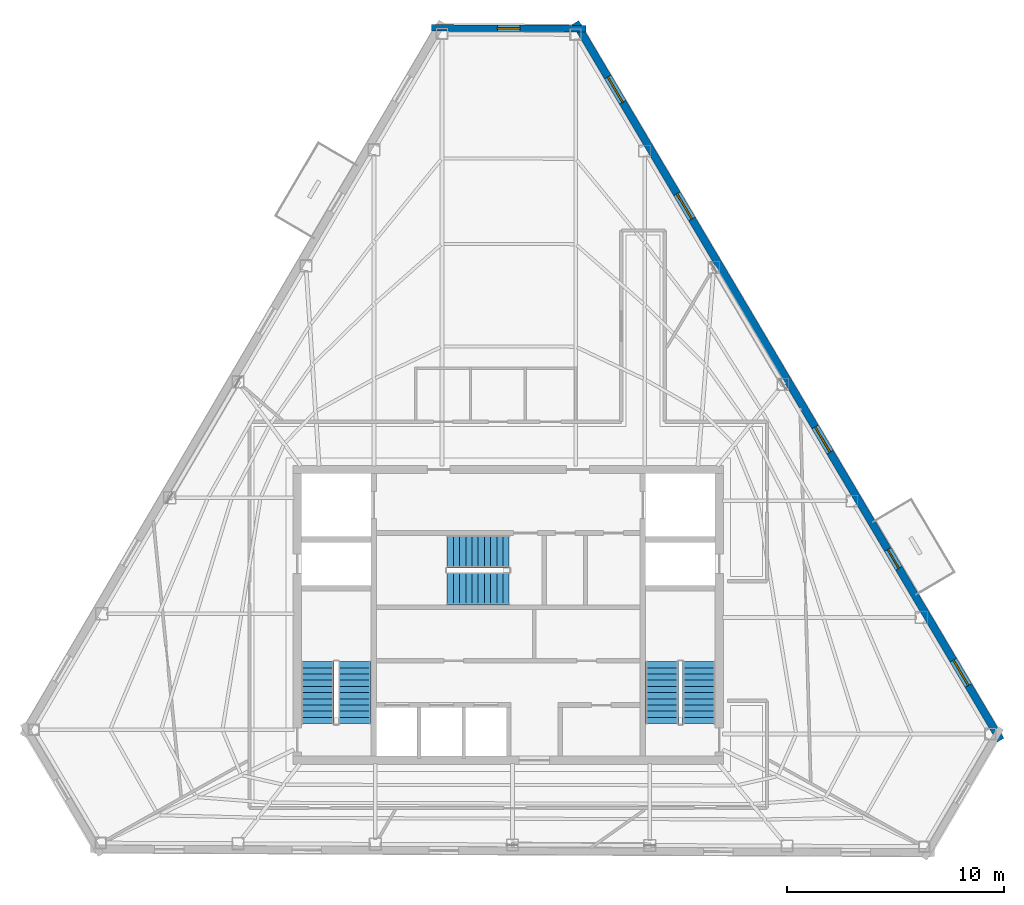
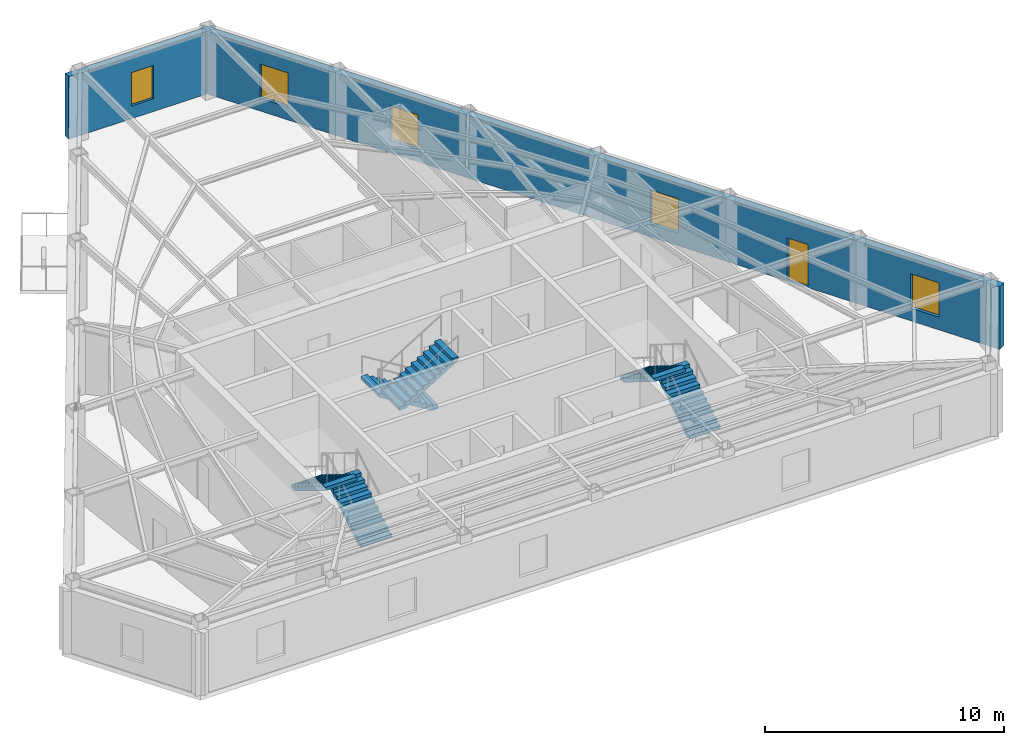
# One storey, part 7 of 9: 6 stair flights, 5 windows, 2 walls, 1 door, 6 openings, 3 elements without a shape of their own.
"""IFC4 building model written with IfcOpenShell, lengths in metres."""

from ifc_helpers import new_model, si_unit, direction, frame, frame_2d, origin, place, context, subcontext, project, spatial, polyline, rectangle, outline, extrude, material, layer, layer_set, type_object, element, fill, aggregate, save


model = new_model("IFC4")

# Units and contexts
model_context = context("Model", 3, precision=1e-05, world=origin(), true_north=direction((0.0, 1.0)))
body_context = subcontext(model_context, "Body", "Model", "MODEL_VIEW")
ifc_project = project(units=[si_unit("LENGTHUNIT", "METRE"), si_unit("AREAUNIT", "SQUARE_METRE"), si_unit("VOLUMEUNIT", "CUBIC_METRE"), si_unit("PLANEANGLEUNIT", "RADIAN"), si_unit("MASSUNIT", "GRAM", prefix="KILO")], contexts=[model_context])

# Site, building, storey
site_placement = place(None, origin())
site = spatial("IfcSite", under=ifc_project, at=site_placement, CompositionType="ELEMENT")
building_placement = place(site_placement, origin())
building = spatial("IfcBuilding", under=site, at=building_placement, Name="Kavelnor Concourse Tower", CompositionType="ELEMENT")
storey_placement = place(building_placement, frame((0.0, 0.0, 270.300048828125)))
storey = spatial("IfcBuildingStorey", under=building, at=storey_placement, Name="L68", CompositionType="ELEMENT", Elevation=270.300048828125)

# Wall, opening, window
ifc_material_1 = material(Name="Buff ironspot clay face brick masonry", Category="masonry")
ifc_layer_1 = layer(ifc_material_1, 0.300048828125, Name="Buff ironspot clay face brick masonry")
ifc_layer_set_1 = layer_set([ifc_layer_1], Name="Buff ironspot clay face brick masonry")
wall_type_1 = type_object("IfcWallType", Name="WL-EXT-BUFF-BRICK-FOLD-300", PredefinedType="STANDARD", material=ifc_layer_set_1)
wall_1_placement = place(storey_placement, frame((34.476806640625, 43.1064453125, 0.0), z_axis=(0.0, 0.0, 1.0), x_axis=(0.999990601599, -0.004335517714, 0.0)))
wall_1 = element("IfcWall", 1, at=wall_1_placement, inside=storey, type_object=wall_type_1, Name="L68 Exterior Brick Facade Wall E0", PredefinedType="STANDARD", context=body_context, shape_type="SweptSolid", body=[
    extrude(rectangle(XDim=7.09521484375, YDim=0.300048828125, at=frame_2d((3.547607421875, 0.0))), origin(), (0.0, 0.0, 1.0), 3.196044921875),
])
opening_1_placement = place(wall_1_placement, frame((3.022705078125, 0.0, 0.64990234375)))
opening_1 = element("IfcOpeningElement", 2, at=opening_1_placement, cuts=wall_1, Name="Opening W-06", PredefinedType="OPENING", context=body_context, shape_type="SweptSolid", body=[
    extrude(rectangle(XDim=1.050048828125, YDim=1.699951171875, at=frame_2d((0.52490234375, 0.85009765625))), frame((0.0, 0.16015625, 0.0), z_axis=(0.0, -1.0, 0.0), x_axis=(1.0, 0.0, 0.0)), (0.0, 0.0, 1.0), 0.320068359375),
])
ifc_material_2 = material(Name="Double low-E argon insulated glazing", Category="glass")
window_type_1 = type_object("IfcWindowType", Name="WIN-FOLD-1050", PartitioningType="SINGLE_PANEL", PredefinedType="WINDOW", material=ifc_material_2)
window_1_placement = place(opening_1_placement, origin())
window_1 = element("IfcWindow", 3, at=window_1_placement, inside=storey, type_object=window_type_1, Name="L68 Chamfer-Fold Facet Window C0", OverallHeight=1.699951171875, OverallWidth=1.050048828125, PartitioningType="SINGLE_PANEL", PredefinedType="WINDOW", context=body_context, shape_type="SweptSolid", body=[
    extrude(rectangle(XDim=1.050048828125, YDim=1.699951171875, at=frame_2d((0.52490234375, 0.85009765625))), frame((0.0, 0.030029296875, 0.0), z_axis=(0.0, -1.0, 0.0), x_axis=(1.0, 0.0, 0.0)), (0.0, 0.0, 1.0), 0.06005859375),
])
fill(opening_1, window_1)

# Wall, openings, door, windows
ifc_material_3 = material(Name="Red-ochre clay face brick masonry", Category="masonry")
ifc_layer_2 = layer(ifc_material_3, 0.35009765625, Name="Red-ochre clay face brick masonry")
ifc_layer_set_2 = layer_set([ifc_layer_2], Name="Red-ochre clay face brick masonry")
wall_type_2 = type_object("IfcWallType", Name="WL-EXT-RED-BRICK-PIER-350", PredefinedType="STANDARD", material=ifc_layer_set_2)
wall_2_placement = place(storey_placement, frame((41.090087890625, 43.3515625, 0.0), z_axis=(0.0, 0.0, 1.0), x_axis=(0.509850521087, -0.860263009868, 0.0)))
wall_2 = element("IfcWall", 4, at=wall_2_placement, inside=storey, type_object=wall_type_2, Name="L68 Exterior Brick Facade Wall E5", PredefinedType="STANDARD", context=body_context, shape_type="SweptSolid", body=[
    extrude(rectangle(XDim=38.374755859375, YDim=0.35009765625, at=frame_2d((19.1875, 0.0))), origin(), (0.0, 0.0, 1.0), 3.196044921875),
])
opening_2_placement = place(wall_2_placement, frame((28.18115234375, 0.0, 0.0)))
opening_2 = element("IfcOpeningElement", 5, at=opening_2_placement, cuts=wall_2, Name="Opening BD-100", PredefinedType="OPENING", context=body_context, shape_type="SweptSolid", body=[
    extrude(rectangle(XDim=1.0, YDim=2.199951171875, at=frame_2d((0.5, 1.10009765625))), frame((0.0, 0.18505859375, 0.0), z_axis=(0.0, -1.0, 0.0), x_axis=(1.0, 0.0, 0.0)), (0.0, 0.0, 1.0), 0.3701171875),
])
opening_3_placement = place(wall_2_placement, frame((34.098388671875, 0.0, 0.64990234375)))
opening_3 = element("IfcOpeningElement", 6, at=opening_3_placement, cuts=wall_2, Name="Opening W-04", PredefinedType="OPENING", context=body_context, shape_type="SweptSolid", body=[
    extrude(rectangle(XDim=1.35009765625, YDim=1.75, at=frame_2d((0.675048828125, 0.875))), frame((0.0, 0.18505859375, 0.0), z_axis=(0.0, -1.0, 0.0), x_axis=(1.0, 0.0, 0.0)), (0.0, 0.0, 1.0), 0.3701171875),
])
opening_4_placement = place(wall_2_placement, frame((21.625244140625, 0.0, 0.64990234375)))
opening_4 = element("IfcOpeningElement", 7, at=opening_4_placement, cuts=wall_2, Name="Opening W-04", PredefinedType="OPENING", context=body_context, shape_type="SweptSolid", body=[
    extrude(rectangle(XDim=1.35009765625, YDim=1.75, at=frame_2d((0.675048828125, 0.875))), frame((0.0, 0.18505859375, 0.0), z_axis=(0.0, -1.0, 0.0), x_axis=(1.0, 0.0, 0.0)), (0.0, 0.0, 1.0), 0.3701171875),
])
opening_5_placement = place(wall_2_placement, frame((9.152099609375, 0.0, 0.64990234375)))
opening_5 = element("IfcOpeningElement", 8, at=opening_5_placement, cuts=wall_2, Name="Opening W-04", PredefinedType="OPENING", context=body_context, shape_type="SweptSolid", body=[
    extrude(rectangle(XDim=1.35009765625, YDim=1.75, at=frame_2d((0.675048828125, 0.875))), frame((0.0, 0.18505859375, 0.0), z_axis=(0.0, -1.0, 0.0), x_axis=(1.0, 0.0, 0.0)), (0.0, 0.0, 1.0), 0.3701171875),
])
opening_6_placement = place(wall_2_placement, frame((2.915283203125, 0.0, 0.64990234375)))
opening_6 = element("IfcOpeningElement", 9, at=opening_6_placement, cuts=wall_2, Name="Opening W-04", PredefinedType="OPENING", context=body_context, shape_type="SweptSolid", body=[
    extrude(rectangle(XDim=1.35009765625, YDim=1.75, at=frame_2d((0.675048828125, 0.875))), frame((0.0, 0.18505859375, 0.0), z_axis=(0.0, -1.0, 0.0), x_axis=(1.0, 0.0, 0.0)), (0.0, 0.0, 1.0), 0.3701171875),
])
ifc_material_4 = material(Name="Anodised aluminium 6063-T6", Category="aluminium")
door_type = type_object("IfcDoorType", Name="DR-BALCONY-EXT-1000", OperationType="NOTDEFINED", PredefinedType="DOOR", material=ifc_material_4)
door_placement = place(opening_2_placement, origin())
door = element("IfcDoor", 10, at=door_placement, inside=storey, type_object=door_type, Name="L68 Tree Balcony 1 Glazed Door", OperationType="SINGLE_SWING_LEFT", OverallHeight=2.199951171875, OverallWidth=1.0, PredefinedType="DOOR", context=body_context, shape_type="SweptSolid", body=[
    extrude(rectangle(XDim=1.0, YDim=2.199951171875, at=frame_2d((0.5, 1.10009765625))), frame((0.0, 0.02490234375, 0.0), z_axis=(0.0, -1.0, 0.0), x_axis=(1.0, 0.0, 0.0)), (0.0, 0.0, 1.0), 0.050048828125),
])
fill(opening_2, door)
window_type_2 = type_object("IfcWindowType", Name="WIN-PIER-Z4-1350", PartitioningType="SINGLE_PANEL", PredefinedType="WINDOW", material=ifc_material_2)
window_2_placement = place(opening_3_placement, origin())
window_2 = element("IfcWindow", 11, at=window_2_placement, inside=storey, type_object=window_type_2, Name="L68 Deep-Set Brick Pier Window F2-B0", OverallHeight=1.75, OverallWidth=1.35009765625, PartitioningType="SINGLE_PANEL", PredefinedType="WINDOW", context=body_context, shape_type="SweptSolid", body=[
    extrude(rectangle(XDim=1.35009765625, YDim=1.75, at=frame_2d((0.675048828125, 0.875))), frame((0.0, 0.030029296875, 0.0), z_axis=(0.0, -1.0, 0.0), x_axis=(1.0, 0.0, 0.0)), (0.0, 0.0, 1.0), 0.06005859375),
])
fill(opening_3, window_2)
window_3_placement = place(opening_4_placement, origin())
window_3 = element("IfcWindow", 12, at=window_3_placement, inside=storey, type_object=window_type_2, Name="L68 Deep-Set Brick Pier Window F2-B2", OverallHeight=1.75, OverallWidth=1.35009765625, PartitioningType="SINGLE_PANEL", PredefinedType="WINDOW", context=body_context, shape_type="SweptSolid", body=[
    extrude(rectangle(XDim=1.35009765625, YDim=1.75, at=frame_2d((0.675048828125, 0.875))), frame((0.0, 0.030029296875, 0.0), z_axis=(0.0, -1.0, 0.0), x_axis=(1.0, 0.0, 0.0)), (0.0, 0.0, 1.0), 0.06005859375),
])
fill(opening_4, window_3)
window_4_placement = place(opening_5_placement, origin())
window_4 = element("IfcWindow", 13, at=window_4_placement, inside=storey, type_object=window_type_2, Name="L68 Deep-Set Brick Pier Window F2-B4", OverallHeight=1.75, OverallWidth=1.35009765625, PartitioningType="SINGLE_PANEL", PredefinedType="WINDOW", context=body_context, shape_type="SweptSolid", body=[
    extrude(rectangle(XDim=1.35009765625, YDim=1.75, at=frame_2d((0.675048828125, 0.875))), frame((0.0, 0.030029296875, 0.0), z_axis=(0.0, -1.0, 0.0), x_axis=(1.0, 0.0, 0.0)), (0.0, 0.0, 1.0), 0.06005859375),
])
fill(opening_5, window_4)
window_5_placement = place(opening_6_placement, origin())
window_5 = element("IfcWindow", 14, at=window_5_placement, inside=storey, type_object=window_type_2, Name="L68 Deep-Set Brick Pier Window F2-B5", OverallHeight=1.75, OverallWidth=1.35009765625, PartitioningType="SINGLE_PANEL", PredefinedType="WINDOW", context=body_context, shape_type="SweptSolid", body=[
    extrude(rectangle(XDim=1.35009765625, YDim=1.75, at=frame_2d((0.675048828125, 0.875))), frame((0.0, 0.030029296875, 0.0), z_axis=(0.0, -1.0, 0.0), x_axis=(1.0, 0.0, 0.0)), (0.0, 0.0, 1.0), 0.06005859375),
])
fill(opening_6, window_5)

# Stair, stair flights
ifc_material_5 = material(Name="Concrete C40/50", Category="concrete")
stair_type = type_object("IfcStairType", Name="STR-CORE-1500", PredefinedType="HALF_TURN_STAIR", material=ifc_material_5)
stair_1_placement = place(storey_placement, origin())
stair_1 = element("IfcStair", 15, at=stair_1_placement, inside=storey, type_object=stair_type, Name="L68 ST1", PredefinedType="HALF_TURN_STAIR")
stair_flight_type = type_object("IfcStairFlightType", Name="STR-FLIGHT-1500", PredefinedType="STRAIGHT", material=ifc_material_5)
stair_flight_1_placement = place(storey_placement, frame((30.929931640625, 11.10009765625, 0.0), z_axis=(0.0, 0.0, 1.0), x_axis=(0.0, 1.0, 0.0)))
stair_flight_1 = element("IfcStairFlight", 16, at=stair_flight_1_placement, type_object=stair_flight_type, Name="ST1 flight 1", NumberOfRisers=11, NumberOfTreads=10, PredefinedType="STRAIGHT", RiserHeight=0.175, TreadLength=0.285, context=body_context, shape_type="SweptSolid", body=[
    extrude(outline(polyline([(0.0, 0.0), (0.0, 0.175048828125), (0.284912109375, 0.175048828125), (0.284912109375, 0.35009765625), (0.570068359375, 0.35009765625), (0.570068359375, 0.52490234375), (0.85498046875, 0.52490234375), (0.85498046875, 0.699951171875), (1.139892578125, 0.699951171875), (1.139892578125, 0.875), (1.425048828125, 0.875), (1.425048828125, 1.050048828125), (1.7099609375, 1.050048828125), (1.7099609375, 1.22509765625), (1.9951171875, 1.22509765625), (1.9951171875, 1.39990234375), (2.280029296875, 1.39990234375), (2.280029296875, 1.574951171875), (2.56494140625, 1.574951171875), (2.56494140625, 1.75), (2.85009765625, 1.75), (2.85009765625, 1.925048828125), (2.85009765625, 1.573974609375), (0.286376953125, 0.0), (0.0, 0.0)])), frame((0.0, 0.75, 0.0), z_axis=(0.0, -1.0, 0.0), x_axis=(1.0, 0.0, 0.0)), (0.0, 0.0, 1.0), 1.5),
])
stair_flight_2_placement = place(storey_placement, frame((29.22998046875, 13.949951171875, 1.925048828125), z_axis=(0.0, 0.0, 1.0), x_axis=(0.0, -1.0, 0.0)))
stair_flight_2 = element("IfcStairFlight", 17, at=stair_flight_2_placement, type_object=stair_flight_type, Name="ST1 flight 2", NumberOfRisers=11, NumberOfTreads=10, PredefinedType="STRAIGHT", RiserHeight=0.175, TreadLength=0.285, context=body_context, shape_type="SweptSolid", body=[
    extrude(outline(polyline([(0.0, 0.0), (0.0, 0.175048828125), (0.284912109375, 0.175048828125), (0.284912109375, 0.35009765625), (0.570068359375, 0.35009765625), (0.570068359375, 0.52490234375), (0.85498046875, 0.52490234375), (0.85498046875, 0.699951171875), (1.139892578125, 0.699951171875), (1.139892578125, 0.875), (1.425048828125, 0.875), (1.425048828125, 1.050048828125), (1.7099609375, 1.050048828125), (1.7099609375, 1.22509765625), (1.9951171875, 1.22509765625), (1.9951171875, 1.39990234375), (2.280029296875, 1.39990234375), (2.280029296875, 1.574951171875), (2.56494140625, 1.574951171875), (2.56494140625, 1.75), (2.85009765625, 1.75), (2.85009765625, 1.925048828125), (2.85009765625, 1.573974609375), (0.286376953125, 0.0), (0.0, 0.0)])), frame((0.0, 0.75, 0.0), z_axis=(0.0, -1.0, 0.0), x_axis=(1.0, 0.0, 0.0)), (0.0, 0.0, 1.0), 1.5),
])
aggregate(stair_1, [stair_flight_1, stair_flight_2])

stair_2_placement = place(storey_placement, origin())
stair_2 = element("IfcStair", 18, at=stair_2_placement, inside=storey, type_object=stair_type, Name="L68 ST2", PredefinedType="HALF_TURN_STAIR")
stair_flight_3_placement = place(storey_placement, frame((46.77001953125, 11.10009765625, 0.0), z_axis=(0.0, 0.0, 1.0), x_axis=(0.0, 1.0, 0.0)))
stair_flight_3 = element("IfcStairFlight", 19, at=stair_flight_3_placement, type_object=stair_flight_type, Name="ST2 flight 1", NumberOfRisers=11, NumberOfTreads=10, PredefinedType="STRAIGHT", RiserHeight=0.175, TreadLength=0.285, context=body_context, shape_type="SweptSolid", body=[
    extrude(outline(polyline([(0.0, 0.0), (0.0, 0.175048828125), (0.284912109375, 0.175048828125), (0.284912109375, 0.35009765625), (0.570068359375, 0.35009765625), (0.570068359375, 0.52490234375), (0.85498046875, 0.52490234375), (0.85498046875, 0.699951171875), (1.139892578125, 0.699951171875), (1.139892578125, 0.875), (1.425048828125, 0.875), (1.425048828125, 1.050048828125), (1.7099609375, 1.050048828125), (1.7099609375, 1.22509765625), (1.9951171875, 1.22509765625), (1.9951171875, 1.39990234375), (2.280029296875, 1.39990234375), (2.280029296875, 1.574951171875), (2.56494140625, 1.574951171875), (2.56494140625, 1.75), (2.85009765625, 1.75), (2.85009765625, 1.925048828125), (2.85009765625, 1.573974609375), (0.286376953125, 0.0), (0.0, 0.0)])), frame((0.0, 0.75, 0.0), z_axis=(0.0, -1.0, 0.0), x_axis=(1.0, 0.0, 0.0)), (0.0, 0.0, 1.0), 1.5),
])
stair_flight_4_placement = place(storey_placement, frame((45.070068359375, 13.949951171875, 1.925048828125), z_axis=(0.0, 0.0, 1.0), x_axis=(0.0, -1.0, 0.0)))
stair_flight_4 = element("IfcStairFlight", 20, at=stair_flight_4_placement, type_object=stair_flight_type, Name="ST2 flight 2", NumberOfRisers=11, NumberOfTreads=10, PredefinedType="STRAIGHT", RiserHeight=0.175, TreadLength=0.285, context=body_context, shape_type="SweptSolid", body=[
    extrude(outline(polyline([(0.0, 0.0), (0.0, 0.175048828125), (0.284912109375, 0.175048828125), (0.284912109375, 0.35009765625), (0.570068359375, 0.35009765625), (0.570068359375, 0.52490234375), (0.85498046875, 0.52490234375), (0.85498046875, 0.699951171875), (1.139892578125, 0.699951171875), (1.139892578125, 0.875), (1.425048828125, 0.875), (1.425048828125, 1.050048828125), (1.7099609375, 1.050048828125), (1.7099609375, 1.22509765625), (1.9951171875, 1.22509765625), (1.9951171875, 1.39990234375), (2.280029296875, 1.39990234375), (2.280029296875, 1.574951171875), (2.56494140625, 1.574951171875), (2.56494140625, 1.75), (2.85009765625, 1.75), (2.85009765625, 1.925048828125), (2.85009765625, 1.573974609375), (0.286376953125, 0.0), (0.0, 0.0)])), frame((0.0, 0.75, 0.0), z_axis=(0.0, -1.0, 0.0), x_axis=(1.0, 0.0, 0.0)), (0.0, 0.0, 1.0), 1.5),
])
aggregate(stair_2, [stair_flight_3, stair_flight_4])

stair_3_placement = place(storey_placement, origin())
stair_3 = element("IfcStair", 21, at=stair_3_placement, inside=storey, type_object=stair_type, Name="L68 ST3", PredefinedType="HALF_TURN_STAIR")
stair_flight_5_placement = place(storey_placement, frame((38.0400390625, 19.010009765625, 0.0), z_axis=(0.0, 0.0, 1.0), x_axis=(-1.0, 0.0, 0.0)))
stair_flight_5 = element("IfcStairFlight", 22, at=stair_flight_5_placement, type_object=stair_flight_type, Name="ST3 flight 1", NumberOfRisers=11, NumberOfTreads=10, PredefinedType="STRAIGHT", RiserHeight=0.175, TreadLength=0.285, context=body_context, shape_type="SweptSolid", body=[
    extrude(outline(polyline([(0.0, 0.0), (0.0, 0.175048828125), (0.284912109375, 0.175048828125), (0.284912109375, 0.35009765625), (0.570068359375, 0.35009765625), (0.570068359375, 0.52490234375), (0.85498046875, 0.52490234375), (0.85498046875, 0.699951171875), (1.139892578125, 0.699951171875), (1.139892578125, 0.875), (1.425048828125, 0.875), (1.425048828125, 1.050048828125), (1.7099609375, 1.050048828125), (1.7099609375, 1.22509765625), (1.9951171875, 1.22509765625), (1.9951171875, 1.39990234375), (2.280029296875, 1.39990234375), (2.280029296875, 1.574951171875), (2.56494140625, 1.574951171875), (2.56494140625, 1.75), (2.85009765625, 1.75), (2.85009765625, 1.925048828125), (2.85009765625, 1.573974609375), (0.286376953125, 0.0), (0.0, 0.0)])), frame((0.0, 0.75, 0.0), z_axis=(0.0, -1.0, 0.0), x_axis=(1.0, 0.0, 0.0)), (0.0, 0.0, 1.0), 1.5),
])
stair_flight_6_placement = place(storey_placement, frame((35.18994140625, 17.31005859375, 1.925048828125), z_axis=(0.0, 0.0, 1.0), x_axis=(1.0, 0.0, 0.0)))
stair_flight_6 = element("IfcStairFlight", 23, at=stair_flight_6_placement, type_object=stair_flight_type, Name="ST3 flight 2", NumberOfRisers=11, NumberOfTreads=10, PredefinedType="STRAIGHT", RiserHeight=0.175, TreadLength=0.285, context=body_context, shape_type="SweptSolid", body=[
    extrude(outline(polyline([(0.0, 0.0), (0.0, 0.175048828125), (0.284912109375, 0.175048828125), (0.284912109375, 0.35009765625), (0.570068359375, 0.35009765625), (0.570068359375, 0.52490234375), (0.85498046875, 0.52490234375), (0.85498046875, 0.699951171875), (1.139892578125, 0.699951171875), (1.139892578125, 0.875), (1.425048828125, 0.875), (1.425048828125, 1.050048828125), (1.7099609375, 1.050048828125), (1.7099609375, 1.22509765625), (1.9951171875, 1.22509765625), (1.9951171875, 1.39990234375), (2.280029296875, 1.39990234375), (2.280029296875, 1.574951171875), (2.56494140625, 1.574951171875), (2.56494140625, 1.75), (2.85009765625, 1.75), (2.85009765625, 1.925048828125), (2.85009765625, 1.573974609375), (0.286376953125, 0.0), (0.0, 0.0)])), frame((0.0, 0.75, 0.0), z_axis=(0.0, -1.0, 0.0), x_axis=(1.0, 0.0, 0.0)), (0.0, 0.0, 1.0), 1.5),
])
aggregate(stair_3, [stair_flight_5, stair_flight_6])

save(model, "model.ifc")
